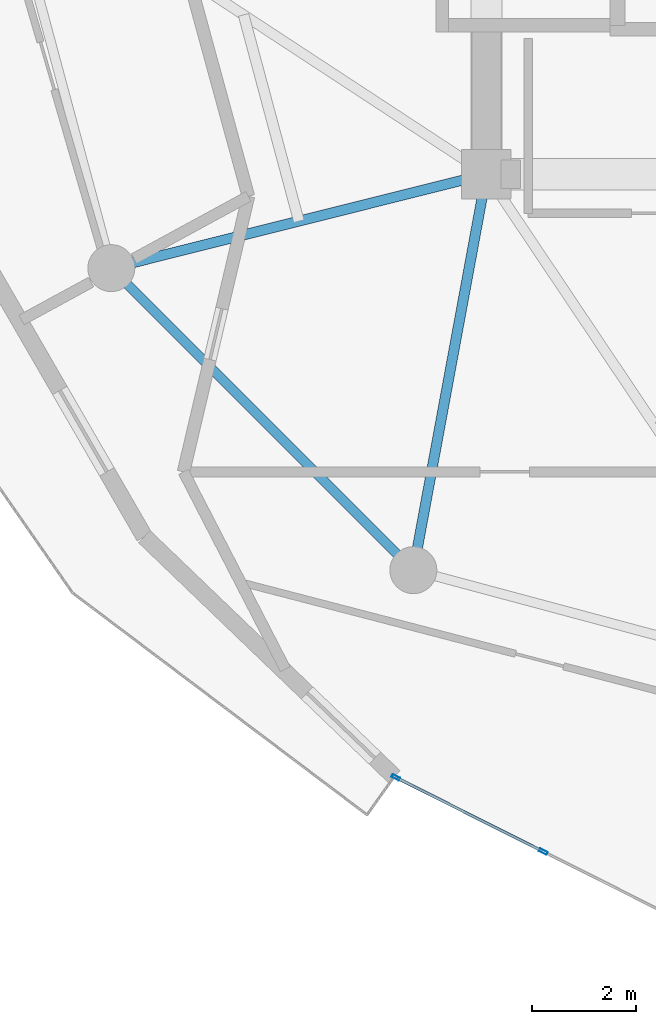
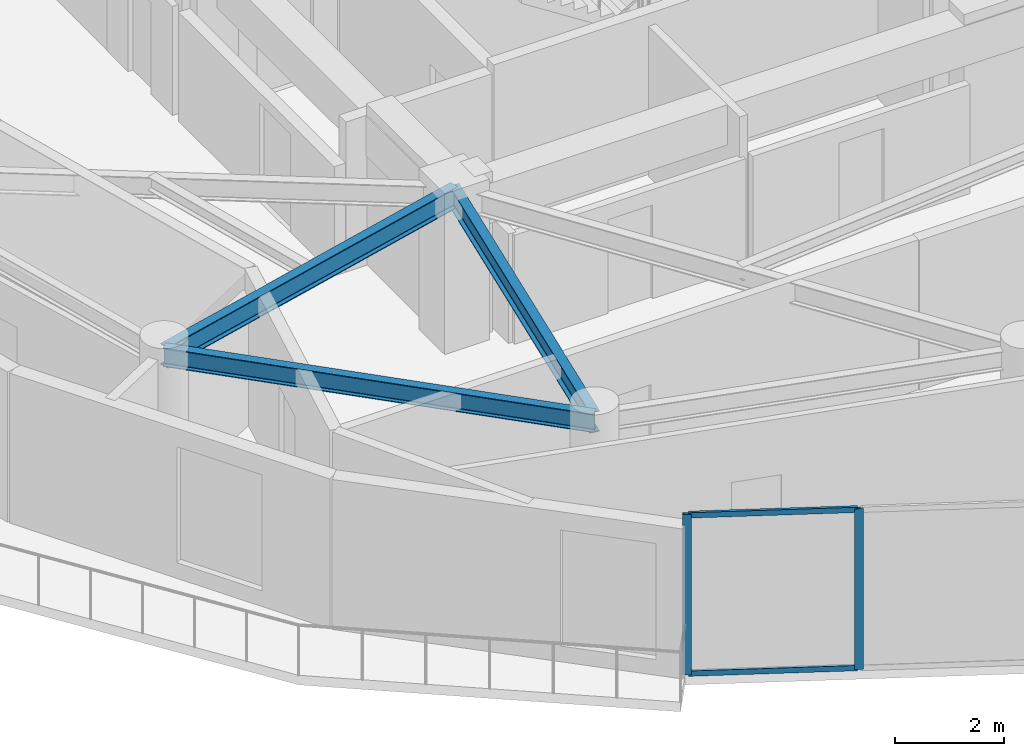
# One storey, part 2 of 19: 4 members, 3 beams, 1 element without a shape of its own.
"""IFC4 building model written with IfcOpenShell, lengths in metres."""

from ifc_helpers import new_model, si_unit, direction, frame, origin, origin_2d, place, context, subcontext, project, spatial, hollow_rectangle, i_section, extrude, source, transform, mapped, material, layer, layer_set, material_profile, profile_set, type_object, element, aggregate, save


model = new_model("IFC4")

# Units and contexts
model_context = context("Model", 3, precision=1e-05, world=origin(), true_north=direction((0.0, 1.0)))
body_context = subcontext(model_context, "Body", "Model", "MODEL_VIEW")
ifc_project = project(units=[si_unit("LENGTHUNIT", "METRE"), si_unit("AREAUNIT", "SQUARE_METRE"), si_unit("VOLUMEUNIT", "CUBIC_METRE"), si_unit("PLANEANGLEUNIT", "RADIAN"), si_unit("MASSUNIT", "GRAM", prefix="KILO")], contexts=[model_context])

# Site, building, storey
site_placement = place(None, origin())
site = spatial("IfcSite", under=ifc_project, at=site_placement, CompositionType="ELEMENT")
building_placement = place(site_placement, origin())
building = spatial("IfcBuilding", under=site, at=building_placement, Name="Solvirekh Grand Hotel", CompositionType="ELEMENT")
storey_placement = place(building_placement, frame((0.0, 0.0, 212.800048828125)))
storey = spatial("IfcBuildingStorey", under=building, at=storey_placement, Name="L55", CompositionType="ELEMENT", Elevation=212.800048828125)

# Beams
ifc_material_1 = material(Name="Steel S355", Category="steel")
ifc_material_profile_1 = material_profile(ifc_material_1, i_section(OverallWidth=0.194091796875, OverallDepth=0.468994140625, WebThickness=0.010986328125, FlangeThickness=0.01904296875, FilletRadius=0.012939453125, at=origin_2d()), Name="W460X106")
ifc_profile_set_1 = profile_set([ifc_material_profile_1], Name="Steel S355")
beam_type_1 = type_object("IfcBeamType", Name="Beam_Radial_W460H", PredefinedType="BEAM", material=ifc_profile_set_1)
beam_1_placement = place(storey_placement, frame((-6.5, -6.10009765625, 3.125), z_axis=(-0.970014367692, -0.243047580675, 0.0), x_axis=(0.243047580675, -0.970014367692, 0.0)))
element("IfcBeam", 1, at=beam_1_placement, inside=storey, type_object=beam_type_1, Name="L55 radial floor beam R08", PredefinedType="BEAM", context=body_context, shape_type="SweptSolid", body=[
    extrude(i_section(OverallWidth=0.194091796875, OverallDepth=0.468994140625, WebThickness=0.010986328125, FlangeThickness=0.01904296875, FilletRadius=0.012939453125, at=origin_2d()), origin(), (0.0, 0.0, 1.0), 7.4052734375),
])
beam_2_placement = place(storey_placement, frame((-6.5, -6.10009765625, 3.125), z_axis=(-0.181542769111, -0.983383049978, 0.0), x_axis=(0.983383049978, -0.181542769111, 0.0)))
element("IfcBeam", 2, at=beam_2_placement, inside=storey, type_object=beam_type_1, Name="L55 radial floor beam R09", PredefinedType="BEAM", context=body_context, shape_type="SweptSolid", body=[
    extrude(i_section(OverallWidth=0.194091796875, OverallDepth=0.468994140625, WebThickness=0.010986328125, FlangeThickness=0.01904296875, FilletRadius=0.012939453125, at=origin_2d()), origin(), (0.0, 0.0, 1.0), 7.711181640625),
])
ifc_material_profile_2 = material_profile(ifc_material_1, i_section(OverallWidth=0.180908203125, OverallDepth=0.4169921875, WebThickness=0.010009765625, FlangeThickness=0.01611328125, FilletRadius=0.011962890625, at=origin_2d()), Name="W410X85")
ifc_profile_set_2 = profile_set([ifc_material_profile_2], Name="Steel S355")
beam_type_2 = type_object("IfcBeamType", Name="Spandrel_Ring_W410", PredefinedType="SPANDREL", material=ifc_profile_set_2)
beam_3_placement = place(storey_placement, frame((-13.68310546875, -7.89990234375, 3.15185546875), z_axis=(0.707106781187, -0.707106781187, 0.0), x_axis=(0.707106781187, 0.707106781187, 0.0)))
element("IfcBeam", 3, at=beam_3_placement, inside=storey, type_object=beam_type_2, Name="L55 perimeter spandrel beam 8", PredefinedType="SPANDREL", context=body_context, shape_type="SweptSolid", body=[
    extrude(i_section(OverallWidth=0.180908203125, OverallDepth=0.4169921875, WebThickness=0.010009765625, FlangeThickness=0.01611328125, FilletRadius=0.011962890625, at=origin_2d()), origin(), (0.0, 0.0, 1.0), 8.1787109375),
])

# Curtain wall, members
ifc_material_2 = material(Name="Anodized Bronze Aluminium 6063-T6", Category="aluminium")
ifc_layer = layer(ifc_material_2, 0.159912109375)
ifc_layer_set = layer_set([ifc_layer], Name="Anodized Bronze Aluminium 6063-T6")
curtain_wall_type = type_object("IfcCurtainWallType", Name="CW_Sys4_HighZoneFlushBronzeCW", PredefinedType="NOTDEFINED", material=ifc_layer_set)
curtain_wall_placement = place(storey_placement, origin())
curtain_wall = element("IfcCurtainWall", 4, at=curtain_wall_placement, inside=storey, type_object=curtain_wall_type, Name="L55 unitised bronze-glass curtain wall CW-L55-C18", PredefinedType="NOTDEFINED")
ifc_material_profile_3 = material_profile(ifc_material_2, hollow_rectangle(XDim=0.054931640625, YDim=0.1201171875, WallThickness=0.00390625, at=origin_2d()), Name="ALU RHS 120X55X4")
ifc_profile_set_3 = profile_set([ifc_material_profile_3], Name="Anodized Bronze Aluminium 6063-T6")
member_type_1 = type_object("IfcMemberType", Name="CWTransom_Sys4", PredefinedType="USERDEFINED", material=ifc_profile_set_3)
shared_shape_1 = source(origin(), body_context, "Body", "SweptSolid", [
    extrude(hollow_rectangle(XDim=0.054931640625, YDim=0.1201171875, WallThickness=0.00390625, at=origin_2d()), origin(), (0.0, 0.0, 1.0), 3.104736328125),
])
member_1_placement = place(storey_placement, frame((-8.21044921875, -17.6650390625, 0.02734375), z_axis=(0.893371000747, -0.449319769234, 0.0), x_axis=(0.449319769234, 0.893371000747, 0.0)))
member_1 = element("IfcMember", 5, at=member_1_placement, type_object=member_type_1, Name="U04 transom 1.1", ObjectType="TRANSOM", PredefinedType="USERDEFINED", context=body_context, shape_type="MappedRepresentation", body=[
    mapped(shared_shape_1, transform((0.0, 0.0, 0.0), x_axis=(1.0, 0.0, 0.0), y_axis=(0.0, 1.0, 0.0), z_axis=(0.0, 0.0, 1.0), scale=1.0)),
])
member_2_placement = place(storey_placement, frame((-8.21044921875, -17.6650390625, 3.572509765625), z_axis=(0.893371000747, -0.449319769234, 0.0), x_axis=(0.449319769234, 0.893371000747, 0.0)))
member_2 = element("IfcMember", 6, at=member_2_placement, type_object=member_type_1, Name="U04 transom 1.2", ObjectType="TRANSOM", PredefinedType="USERDEFINED", context=body_context, shape_type="MappedRepresentation", body=[
    mapped(shared_shape_1, transform((0.0, 0.0, 0.0), x_axis=(1.0, 0.0, 0.0), y_axis=(0.0, 1.0, 0.0), z_axis=(0.0, 0.0, 1.0), scale=1.0)),
])
ifc_material_profile_4 = material_profile(ifc_material_2, hollow_rectangle(XDim=0.06005859375, YDim=0.159912109375, WallThickness=0.0048828125, at=origin_2d()), Name="ALU RHS 160X60X5")
ifc_profile_set_4 = profile_set([ifc_material_profile_4], Name="Anodized Bronze Aluminium 6063-T6")
member_type_2 = type_object("IfcMemberType", Name="CWMullion_Sys4", PredefinedType="MULLION", material=ifc_profile_set_4)
shared_shape_2 = source(origin(), body_context, "Body", "SweptSolid", [
    extrude(hollow_rectangle(XDim=0.06005859375, YDim=0.159912109375, WallThickness=0.0048828125, at=origin_2d()), origin(), (0.0, 0.0, 1.0), 3.599853515625),
])
member_3_placement = place(storey_placement, frame((-8.2373046875, -17.6513671875, 0.0), z_axis=(0.0, 0.0, 1.0), x_axis=(0.449340868249, 0.893360388713, 0.0)))
member_3 = element("IfcMember", 7, at=member_3_placement, type_object=member_type_2, Name="U04 mullion 1", PredefinedType="MULLION", context=body_context, shape_type="MappedRepresentation", body=[
    mapped(shared_shape_2, transform((0.0, 0.0, 0.0), x_axis=(1.0, 0.0, 0.0), y_axis=(0.0, 1.0, 0.0), z_axis=(0.0, 0.0, 1.0), scale=1.0)),
])
member_4_placement = place(storey_placement, frame((-5.409912109375, -19.073486328125, 0.0), z_axis=(0.0, 0.0, 1.0), x_axis=(0.449340868249, 0.893360388713, 0.0)))
member_4 = element("IfcMember", 8, at=member_4_placement, type_object=member_type_2, Name="U04 mullion 2", PredefinedType="MULLION", context=body_context, shape_type="MappedRepresentation", body=[
    mapped(shared_shape_2, transform((0.0, 0.0, 0.0), x_axis=(1.0, 0.0, 0.0), y_axis=(0.0, 1.0, 0.0), z_axis=(0.0, 0.0, 1.0), scale=1.0)),
])
aggregate(curtain_wall, [member_3, member_4, member_1, member_2])

save(model, "model.ifc")
